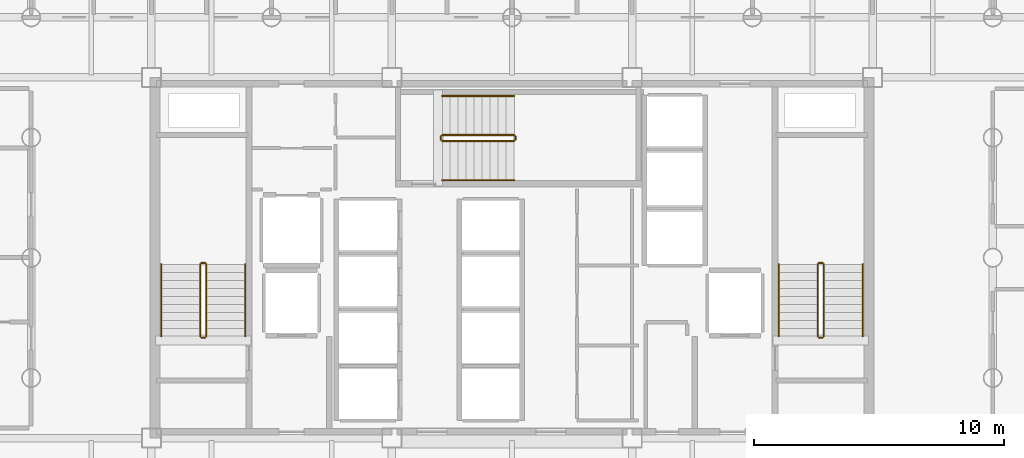
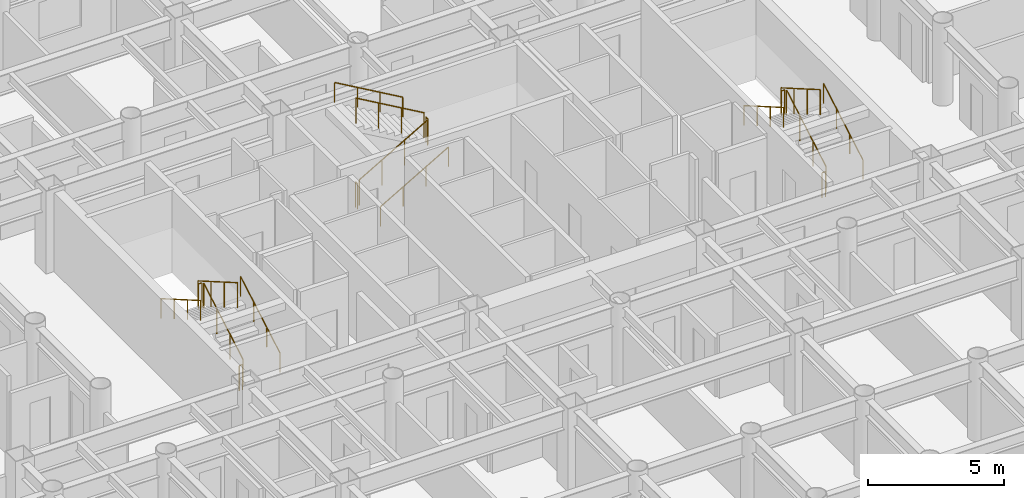
# One storey, part 21 of 21: 18 railings.
"""IFC4 building model written with IfcOpenShell, lengths in metres."""

from ifc_helpers import new_model, si_unit, direction, frame, origin, origin_2d, place, context, subcontext, project, spatial, circle, extrude, material, layer, layer_set, type_object, element, save


model = new_model("IFC4")

# Units and contexts
model_context = context("Model", 3, precision=1e-05, world=origin(), true_north=direction((0.0, 1.0)))
body_context = subcontext(model_context, "Body", "Model", "MODEL_VIEW")
ifc_project = project(units=[si_unit("LENGTHUNIT", "METRE"), si_unit("AREAUNIT", "SQUARE_METRE"), si_unit("VOLUMEUNIT", "CUBIC_METRE"), si_unit("PLANEANGLEUNIT", "RADIAN"), si_unit("MASSUNIT", "GRAM", prefix="KILO")], contexts=[model_context])

# Site, building, storey
site_placement = place(None, origin())
site = spatial("IfcSite", under=ifc_project, at=site_placement, CompositionType="ELEMENT")
building_placement = place(site_placement, origin())
building = spatial("IfcBuilding", under=site, at=building_placement, Name="Kallvorn Hotel Tower", CompositionType="ELEMENT")
storey_placement = place(building_placement, frame((0.0, 0.0, 81.800048828125)))
storey = spatial("IfcBuildingStorey", under=building, at=storey_placement, Name="L19", CompositionType="ELEMENT", Elevation=81.800048828125)

# Railings
ifc_material_1 = material(Name="Brushed stainless-steel tubular railing", Category="steel")
ifc_layer_1 = layer(ifc_material_1, 0.050048828125)
ifc_layer_set_1 = layer_set([ifc_layer_1], Name="RL_STAIR_GUARD")
railing_type_1 = type_object("IfcRailingType", Name="RL_STAIR_GUARD", PredefinedType="GUARDRAIL", material=ifc_layer_set_1)
railing_1_placement = place(storey_placement, frame((-12.2099609375, -3.139892578125, 0.18505859375)))
element("IfcRailing", 1, at=railing_1_placement, inside=storey, type_object=railing_type_1, Name="L19 ST1 stair guard 1", PredefinedType="GUARDRAIL", context=body_context, shape_type="SweptSolid", body=[
    extrude(circle(Radius=0.02392578125, at=origin_2d()), frame((0.0, 0.0, 1.1259765625), z_axis=(0.0, 0.86575271903, 0.500472006703), x_axis=(-1.0, 0.0, 0.0)), (0.0, 0.0, 1.0), 3.326416015625),
    extrude(circle(Radius=0.02099609375, at=origin_2d()), origin(), (0.0, 0.0, 1.0), 1.101806640625),
    extrude(circle(Radius=0.02099609375, at=origin_2d()), frame((0.0, 0.9599609375, 0.554931640625)), (0.0, 0.0, 1.0), 1.101806640625),
    extrude(circle(Radius=0.02099609375, at=origin_2d()), frame((0.0, 1.919921875, 1.10986328125)), (0.0, 0.0, 1.0), 1.101806640625),
    extrude(circle(Radius=0.02099609375, at=origin_2d()), frame((0.0, 2.8798828125, 1.664794921875)), (0.0, 0.0, 1.0), 1.101806640625),
])
railing_2_placement = place(storey_placement, frame((-12.260009765625, -0.2099609375, 1.849853515625)))
element("IfcRailing", 2, at=railing_2_placement, inside=storey, type_object=railing_type_1, Name="L19 ST1 stair guard 2", PredefinedType="GUARDRAIL", context=body_context, shape_type="SweptSolid", body=[
    extrude(circle(Radius=0.02392578125, at=origin_2d()), frame((0.0, 0.0, 1.1259765625), z_axis=(-1.0, 0.0, 0.0), x_axis=(0.0, -1.0, 0.0)), (0.0, 0.0, 1.0), 0.139892578125),
    extrude(circle(Radius=0.02099609375, at=origin_2d()), origin(), (0.0, 0.0, 1.0), 1.101806640625),
    extrude(circle(Radius=0.02099609375, at=origin_2d()), frame((-0.139892578125, 0.0, 0.0)), (0.0, 0.0, 1.0), 1.101806640625),
])
railing_3_placement = place(storey_placement, frame((-12.449951171875, -0.260009765625, 2.034912109375)))
element("IfcRailing", 3, at=railing_3_placement, inside=storey, type_object=railing_type_1, Name="L19 ST1 stair guard 3", PredefinedType="GUARDRAIL", context=body_context, shape_type="SweptSolid", body=[
    extrude(circle(Radius=0.02392578125, at=origin_2d()), frame((0.0, 0.0, 1.1259765625), z_axis=(0.0, -0.865720918037, 0.500527014328), x_axis=(1.0, 0.0, 0.0)), (0.0, 0.0, 1.0), 3.32666015625),
    extrude(circle(Radius=0.02099609375, at=origin_2d()), origin(), (0.0, 0.0, 1.0), 1.101806640625),
    extrude(circle(Radius=0.02099609375, at=origin_2d()), frame((0.0, -0.9599609375, 0.554931640625)), (0.0, 0.0, 1.0), 1.101806640625),
    extrude(circle(Radius=0.02099609375, at=origin_2d()), frame((0.0, -1.919921875, 1.110107421875)), (0.0, 0.0, 1.0), 1.101806640625),
    extrude(circle(Radius=0.02099609375, at=origin_2d()), frame((0.0, -2.8798828125, 1.6650390625)), (0.0, 0.0, 1.0), 1.101806640625),
])
railing_4_placement = place(storey_placement, frame((-12.260009765625, -3.18994140625, 0.0)))
element("IfcRailing", 4, at=railing_4_placement, inside=storey, type_object=railing_type_1, Name="L19 ST1 stair guard 4", PredefinedType="GUARDRAIL", context=body_context, shape_type="SweptSolid", body=[
    extrude(circle(Radius=0.02392578125, at=origin_2d()), frame((0.0, 0.0, 1.1259765625), z_axis=(-1.0, 0.0, 0.0), x_axis=(0.0, -1.0, 0.0)), (0.0, 0.0, 1.0), 0.139892578125),
    extrude(circle(Radius=0.02099609375, at=origin_2d()), origin(), (0.0, 0.0, 1.0), 1.101806640625),
    extrude(circle(Radius=0.02099609375, at=origin_2d()), frame((-0.139892578125, 0.0, 0.0)), (0.0, 0.0, 1.0), 1.101806640625),
])
railing_5_placement = place(storey_placement, frame((12.449951171875, -3.139892578125, 0.18505859375)))
element("IfcRailing", 5, at=railing_5_placement, inside=storey, type_object=railing_type_1, Name="L19 ST2 stair guard 1", PredefinedType="GUARDRAIL", context=body_context, shape_type="SweptSolid", body=[
    extrude(circle(Radius=0.02392578125, at=origin_2d()), frame((0.0, 0.0, 1.1259765625), z_axis=(0.0, 0.86575271903, 0.500472006703), x_axis=(-1.0, 0.0, 0.0)), (0.0, 0.0, 1.0), 3.326416015625),
    extrude(circle(Radius=0.02099609375, at=origin_2d()), origin(), (0.0, 0.0, 1.0), 1.101806640625),
    extrude(circle(Radius=0.02099609375, at=origin_2d()), frame((0.0, 0.9599609375, 0.554931640625)), (0.0, 0.0, 1.0), 1.101806640625),
    extrude(circle(Radius=0.02099609375, at=origin_2d()), frame((0.0, 1.919921875, 1.10986328125)), (0.0, 0.0, 1.0), 1.101806640625),
    extrude(circle(Radius=0.02099609375, at=origin_2d()), frame((0.0, 2.8798828125, 1.664794921875)), (0.0, 0.0, 1.0), 1.101806640625),
])
railing_6_placement = place(storey_placement, frame((12.39990234375, -0.2099609375, 1.849853515625)))
element("IfcRailing", 6, at=railing_6_placement, inside=storey, type_object=railing_type_1, Name="L19 ST2 stair guard 2", PredefinedType="GUARDRAIL", context=body_context, shape_type="SweptSolid", body=[
    extrude(circle(Radius=0.02392578125, at=origin_2d()), frame((0.0, 0.0, 1.1259765625), z_axis=(-1.0, 0.0, 0.0), x_axis=(0.0, -1.0, 0.0)), (0.0, 0.0, 1.0), 0.139892578125),
    extrude(circle(Radius=0.02099609375, at=origin_2d()), origin(), (0.0, 0.0, 1.0), 1.101806640625),
    extrude(circle(Radius=0.02099609375, at=origin_2d()), frame((-0.139892578125, 0.0, 0.0)), (0.0, 0.0, 1.0), 1.101806640625),
])
railing_7_placement = place(storey_placement, frame((12.2099609375, -0.260009765625, 2.034912109375)))
element("IfcRailing", 7, at=railing_7_placement, inside=storey, type_object=railing_type_1, Name="L19 ST2 stair guard 3", PredefinedType="GUARDRAIL", context=body_context, shape_type="SweptSolid", body=[
    extrude(circle(Radius=0.02392578125, at=origin_2d()), frame((0.0, 0.0, 1.1259765625), z_axis=(0.0, -0.865720918037, 0.500527014328), x_axis=(1.0, 0.0, 0.0)), (0.0, 0.0, 1.0), 3.32666015625),
    extrude(circle(Radius=0.02099609375, at=origin_2d()), origin(), (0.0, 0.0, 1.0), 1.101806640625),
    extrude(circle(Radius=0.02099609375, at=origin_2d()), frame((0.0, -0.9599609375, 0.554931640625)), (0.0, 0.0, 1.0), 1.101806640625),
    extrude(circle(Radius=0.02099609375, at=origin_2d()), frame((0.0, -1.919921875, 1.110107421875)), (0.0, 0.0, 1.0), 1.101806640625),
    extrude(circle(Radius=0.02099609375, at=origin_2d()), frame((0.0, -2.8798828125, 1.6650390625)), (0.0, 0.0, 1.0), 1.101806640625),
])
railing_8_placement = place(storey_placement, frame((12.39990234375, -3.18994140625, 0.0)))
element("IfcRailing", 8, at=railing_8_placement, inside=storey, type_object=railing_type_1, Name="L19 ST2 stair guard 4", PredefinedType="GUARDRAIL", context=body_context, shape_type="SweptSolid", body=[
    extrude(circle(Radius=0.02392578125, at=origin_2d()), frame((0.0, 0.0, 1.1259765625), z_axis=(-1.0, 0.0, 0.0), x_axis=(0.0, -1.0, 0.0)), (0.0, 0.0, 1.0), 0.139892578125),
    extrude(circle(Radius=0.02099609375, at=origin_2d()), origin(), (0.0, 0.0, 1.0), 1.101806640625),
    extrude(circle(Radius=0.02099609375, at=origin_2d()), frame((-0.139892578125, 0.0, 0.0)), (0.0, 0.0, 1.0), 1.101806640625),
])
railing_9_placement = place(storey_placement, frame((-2.7900390625, 4.659912109375, 0.18505859375)))
element("IfcRailing", 9, at=railing_9_placement, inside=storey, type_object=railing_type_1, Name="L19 ST3 stair guard 1", PredefinedType="GUARDRAIL", context=body_context, shape_type="SweptSolid", body=[
    extrude(circle(Radius=0.02392578125, at=origin_2d()), frame((0.0, 0.0, 1.1259765625), z_axis=(0.865771100375, 0.0, 0.500440207973), x_axis=(0.0, 1.0, 0.0)), (0.0, 0.0, 1.0), 3.32666015625),
    extrude(circle(Radius=0.02099609375, at=origin_2d()), origin(), (0.0, 0.0, 1.0), 1.101806640625),
    extrude(circle(Radius=0.02099609375, at=origin_2d()), frame((0.9599609375, 0.0, 0.554931640625)), (0.0, 0.0, 1.0), 1.101806640625),
    extrude(circle(Radius=0.02099609375, at=origin_2d()), frame((1.920166015625, 0.0, 1.10986328125)), (0.0, 0.0, 1.0), 1.101806640625),
    extrude(circle(Radius=0.02099609375, at=origin_2d()), frame((2.880126953125, 0.0, 1.664794921875)), (0.0, 0.0, 1.0), 1.101806640625),
])
railing_10_placement = place(storey_placement, frame((0.139892578125, 4.7099609375, 1.849853515625)))
element("IfcRailing", 10, at=railing_10_placement, inside=storey, type_object=railing_type_1, Name="L19 ST3 stair guard 2", PredefinedType="GUARDRAIL", context=body_context, shape_type="SweptSolid", body=[
    extrude(circle(Radius=0.02392578125, at=origin_2d()), frame((0.0, 0.0, 1.1259765625), z_axis=(0.0, 1.0, 0.0), x_axis=(-1.0, 0.0, 0.0)), (0.0, 0.0, 1.0), 0.14013671875),
    extrude(circle(Radius=0.02099609375, at=origin_2d()), origin(), (0.0, 0.0, 1.0), 1.101806640625),
    extrude(circle(Radius=0.02099609375, at=origin_2d()), frame((0.0, 0.14013671875, 0.0)), (0.0, 0.0, 1.0), 1.101806640625),
])
railing_11_placement = place(storey_placement, frame((0.090087890625, 4.89990234375, 2.034912109375)))
element("IfcRailing", 11, at=railing_11_placement, inside=storey, type_object=railing_type_1, Name="L19 ST3 stair guard 3", PredefinedType="GUARDRAIL", context=body_context, shape_type="SweptSolid", body=[
    extrude(circle(Radius=0.02392578125, at=origin_2d()), frame((0.0, 0.0, 1.1259765625), z_axis=(-0.865739302748, 0.0, 0.50049521444), x_axis=(0.0, -1.0, 0.0)), (0.0, 0.0, 1.0), 3.326904296875),
    extrude(circle(Radius=0.02099609375, at=origin_2d()), origin(), (0.0, 0.0, 1.0), 1.101806640625),
    extrude(circle(Radius=0.02099609375, at=origin_2d()), frame((-0.9599609375, 0.0, 0.554931640625)), (0.0, 0.0, 1.0), 1.101806640625),
    extrude(circle(Radius=0.02099609375, at=origin_2d()), frame((-1.920166015625, 0.0, 1.110107421875)), (0.0, 0.0, 1.0), 1.101806640625),
    extrude(circle(Radius=0.02099609375, at=origin_2d()), frame((-2.880126953125, 0.0, 1.6650390625)), (0.0, 0.0, 1.0), 1.101806640625),
])
railing_12_placement = place(storey_placement, frame((-2.840087890625, 4.7099609375, 0.0)))
element("IfcRailing", 12, at=railing_12_placement, inside=storey, type_object=railing_type_1, Name="L19 ST3 stair guard 4", PredefinedType="GUARDRAIL", context=body_context, shape_type="SweptSolid", body=[
    extrude(circle(Radius=0.02392578125, at=origin_2d()), frame((0.0, 0.0, 1.1259765625), z_axis=(0.0, 1.0, 0.0), x_axis=(-1.0, 0.0, 0.0)), (0.0, 0.0, 1.0), 0.14013671875),
    extrude(circle(Radius=0.02099609375, at=origin_2d()), origin(), (0.0, 0.0, 1.0), 1.101806640625),
    extrude(circle(Radius=0.02099609375, at=origin_2d()), frame((0.0, 0.14013671875, 0.0)), (0.0, 0.0, 1.0), 1.101806640625),
])
ifc_material_2 = material(Name="Brushed stainless-steel tubular railing", Category="steel")
ifc_layer_2 = layer(ifc_material_2, 0.050048828125)
ifc_layer_set_2 = layer_set([ifc_layer_2], Name="RL_STAIR_HAND")
railing_type_2 = type_object("IfcRailingType", Name="RL_STAIR_HAND", PredefinedType="HANDRAIL", material=ifc_layer_set_2)
railing_13_placement = place(storey_placement, frame((-10.64990234375, -3.139892578125, 0.18505859375)))
element("IfcRailing", 13, at=railing_13_placement, inside=storey, type_object=railing_type_2, Name="L19 ST1 stair handrail 1", PredefinedType="HANDRAIL", context=body_context, shape_type="SweptSolid", body=[
    extrude(circle(Radius=0.02392578125, at=origin_2d()), frame((0.0, 0.0, 0.8759765625), z_axis=(0.0, 0.86575271903, 0.500472006703), x_axis=(-1.0, 0.0, 0.0)), (0.0, 0.0, 1.0), 3.326416015625),
    extrude(circle(Radius=0.02099609375, at=origin_2d()), origin(), (0.0, 0.0, 1.0), 0.851806640625),
    extrude(circle(Radius=0.02099609375, at=origin_2d()), frame((0.0, 0.9599609375, 0.554931640625)), (0.0, 0.0, 1.0), 0.851806640625),
    extrude(circle(Radius=0.02099609375, at=origin_2d()), frame((0.0, 1.919921875, 1.10986328125)), (0.0, 0.0, 1.0), 0.851806640625),
    extrude(circle(Radius=0.02099609375, at=origin_2d()), frame((0.0, 2.8798828125, 1.664794921875)), (0.0, 0.0, 1.0), 0.851806640625),
])
railing_14_placement = place(storey_placement, frame((-14.010009765625, -0.260009765625, 2.034912109375)))
element("IfcRailing", 14, at=railing_14_placement, inside=storey, type_object=railing_type_2, Name="L19 ST1 stair handrail 2", PredefinedType="HANDRAIL", context=body_context, shape_type="SweptSolid", body=[
    extrude(circle(Radius=0.02392578125, at=origin_2d()), frame((0.0, 0.0, 0.8759765625), z_axis=(0.0, -0.865720918037, 0.500527014328), x_axis=(1.0, 0.0, 0.0)), (0.0, 0.0, 1.0), 3.32666015625),
    extrude(circle(Radius=0.02099609375, at=origin_2d()), origin(), (0.0, 0.0, 1.0), 0.851806640625),
    extrude(circle(Radius=0.02099609375, at=origin_2d()), frame((0.0, -0.9599609375, 0.554931640625)), (0.0, 0.0, 1.0), 0.851806640625),
    extrude(circle(Radius=0.02099609375, at=origin_2d()), frame((0.0, -1.919921875, 1.110107421875)), (0.0, 0.0, 1.0), 0.851806640625),
    extrude(circle(Radius=0.02099609375, at=origin_2d()), frame((0.0, -2.8798828125, 1.6650390625)), (0.0, 0.0, 1.0), 0.851806640625),
])
railing_15_placement = place(storey_placement, frame((14.010009765625, -3.139892578125, 0.18505859375)))
element("IfcRailing", 15, at=railing_15_placement, inside=storey, type_object=railing_type_2, Name="L19 ST2 stair handrail 1", PredefinedType="HANDRAIL", context=body_context, shape_type="SweptSolid", body=[
    extrude(circle(Radius=0.02392578125, at=origin_2d()), frame((0.0, 0.0, 0.8759765625), z_axis=(0.0, 0.86575271903, 0.500472006703), x_axis=(-1.0, 0.0, 0.0)), (0.0, 0.0, 1.0), 3.326416015625),
    extrude(circle(Radius=0.02099609375, at=origin_2d()), origin(), (0.0, 0.0, 1.0), 0.851806640625),
    extrude(circle(Radius=0.02099609375, at=origin_2d()), frame((0.0, 0.9599609375, 0.554931640625)), (0.0, 0.0, 1.0), 0.851806640625),
    extrude(circle(Radius=0.02099609375, at=origin_2d()), frame((0.0, 1.919921875, 1.10986328125)), (0.0, 0.0, 1.0), 0.851806640625),
    extrude(circle(Radius=0.02099609375, at=origin_2d()), frame((0.0, 2.8798828125, 1.664794921875)), (0.0, 0.0, 1.0), 0.851806640625),
])
railing_16_placement = place(storey_placement, frame((10.64990234375, -0.260009765625, 2.034912109375)))
element("IfcRailing", 16, at=railing_16_placement, inside=storey, type_object=railing_type_2, Name="L19 ST2 stair handrail 2", PredefinedType="HANDRAIL", context=body_context, shape_type="SweptSolid", body=[
    extrude(circle(Radius=0.02392578125, at=origin_2d()), frame((0.0, 0.0, 0.8759765625), z_axis=(0.0, -0.865720918037, 0.500527014328), x_axis=(1.0, 0.0, 0.0)), (0.0, 0.0, 1.0), 3.32666015625),
    extrude(circle(Radius=0.02099609375, at=origin_2d()), origin(), (0.0, 0.0, 1.0), 0.851806640625),
    extrude(circle(Radius=0.02099609375, at=origin_2d()), frame((0.0, -0.9599609375, 0.554931640625)), (0.0, 0.0, 1.0), 0.851806640625),
    extrude(circle(Radius=0.02099609375, at=origin_2d()), frame((0.0, -1.919921875, 1.110107421875)), (0.0, 0.0, 1.0), 0.851806640625),
    extrude(circle(Radius=0.02099609375, at=origin_2d()), frame((0.0, -2.8798828125, 1.6650390625)), (0.0, 0.0, 1.0), 0.851806640625),
])
railing_17_placement = place(storey_placement, frame((-2.7900390625, 3.10009765625, 0.18505859375)))
element("IfcRailing", 17, at=railing_17_placement, inside=storey, type_object=railing_type_2, Name="L19 ST3 stair handrail 1", PredefinedType="HANDRAIL", context=body_context, shape_type="SweptSolid", body=[
    extrude(circle(Radius=0.02392578125, at=origin_2d()), frame((0.0, 0.0, 0.8759765625), z_axis=(0.865771100375, 0.0, 0.500440207973), x_axis=(0.0, 1.0, 0.0)), (0.0, 0.0, 1.0), 3.32666015625),
    extrude(circle(Radius=0.02099609375, at=origin_2d()), origin(), (0.0, 0.0, 1.0), 0.851806640625),
    extrude(circle(Radius=0.02099609375, at=origin_2d()), frame((0.9599609375, 0.0, 0.554931640625)), (0.0, 0.0, 1.0), 0.851806640625),
    extrude(circle(Radius=0.02099609375, at=origin_2d()), frame((1.920166015625, 0.0, 1.10986328125)), (0.0, 0.0, 1.0), 0.851806640625),
    extrude(circle(Radius=0.02099609375, at=origin_2d()), frame((2.880126953125, 0.0, 1.664794921875)), (0.0, 0.0, 1.0), 0.851806640625),
])
railing_18_placement = place(storey_placement, frame((0.090087890625, 6.4599609375, 2.034912109375)))
element("IfcRailing", 18, at=railing_18_placement, inside=storey, type_object=railing_type_2, Name="L19 ST3 stair handrail 2", PredefinedType="HANDRAIL", context=body_context, shape_type="SweptSolid", body=[
    extrude(circle(Radius=0.02392578125, at=origin_2d()), frame((0.0, 0.0, 0.8759765625), z_axis=(-0.865739302748, 0.0, 0.50049521444), x_axis=(0.0, -1.0, 0.0)), (0.0, 0.0, 1.0), 3.326904296875),
    extrude(circle(Radius=0.02099609375, at=origin_2d()), origin(), (0.0, 0.0, 1.0), 0.851806640625),
    extrude(circle(Radius=0.02099609375, at=origin_2d()), frame((-0.9599609375, 0.0, 0.554931640625)), (0.0, 0.0, 1.0), 0.851806640625),
    extrude(circle(Radius=0.02099609375, at=origin_2d()), frame((-1.920166015625, 0.0, 1.110107421875)), (0.0, 0.0, 1.0), 0.851806640625),
    extrude(circle(Radius=0.02099609375, at=origin_2d()), frame((-2.880126953125, 0.0, 1.6650390625)), (0.0, 0.0, 1.0), 0.851806640625),
])

save(model, "model.ifc")
